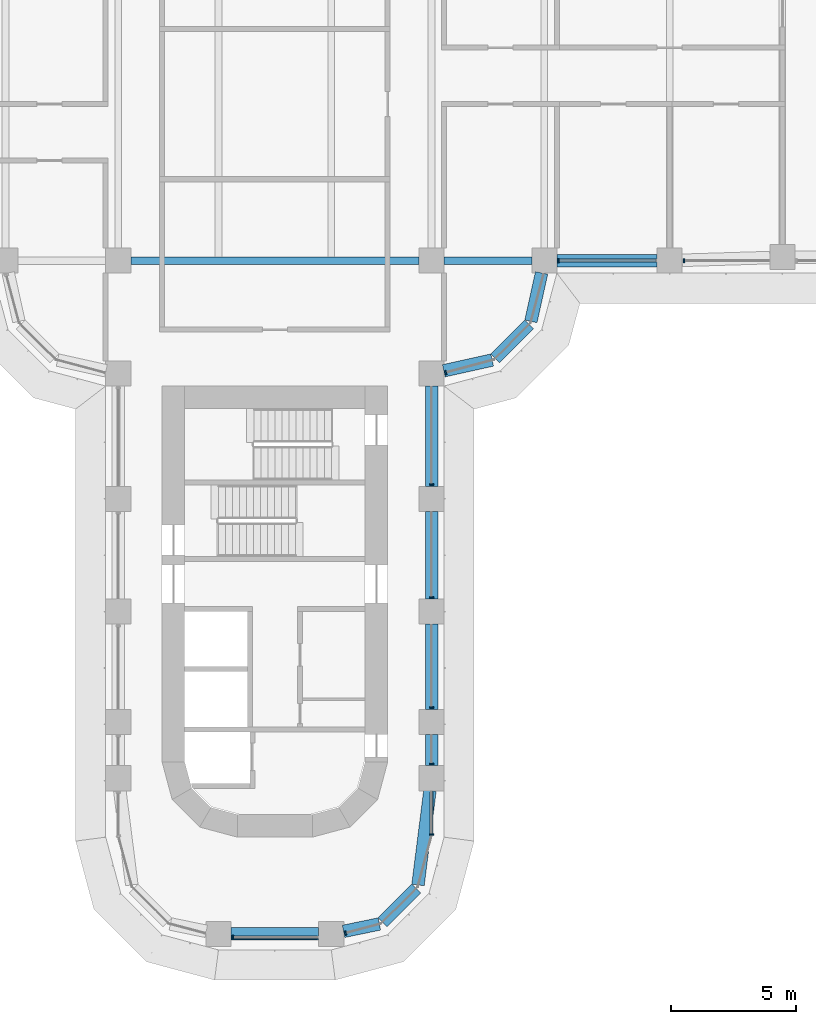
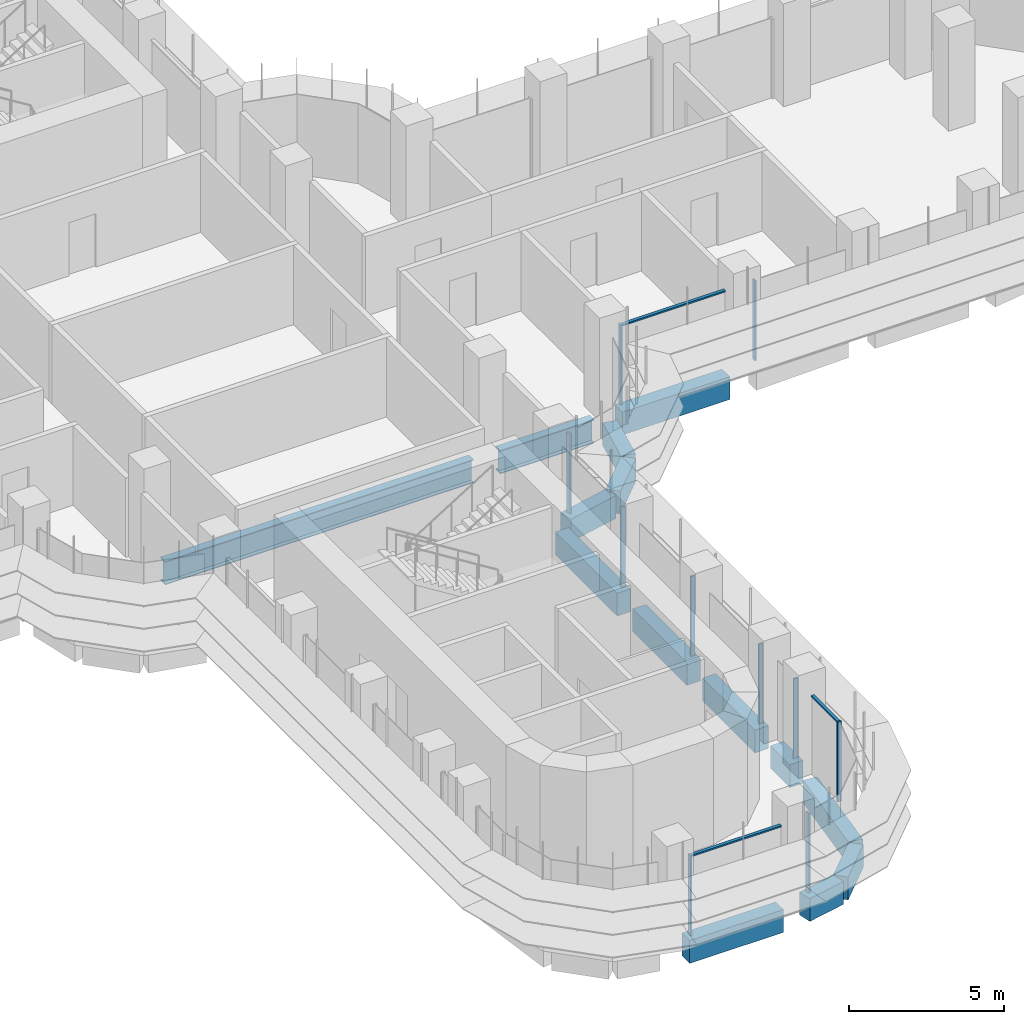
# One storey, part 4 of 23: 14 beams, 13 members, 5 elements without a shape of their own.
"""IFC4 building model written with IfcOpenShell, lengths in metres."""

from ifc_helpers import new_model, si_unit, direction, frame, origin, origin_2d, place, context, subcontext, project, spatial, polyline, rectangle, i_section, outline, extrude, source, transform, mapped, material, material_profile, profile_set, type_object, element, aggregate, save


model = new_model("IFC4")

# Units and contexts
model_context = context("Model", 3, precision=1e-05, world=origin(), true_north=direction((0.0, 1.0)))
body_context = subcontext(model_context, "Body", "Model", "MODEL_VIEW")
ifc_project = project(units=[si_unit("LENGTHUNIT", "METRE"), si_unit("AREAUNIT", "SQUARE_METRE"), si_unit("VOLUMEUNIT", "CUBIC_METRE"), si_unit("PLANEANGLEUNIT", "RADIAN"), si_unit("MASSUNIT", "GRAM", prefix="KILO")], contexts=[model_context])

# Site, building, storey
site_placement = place(None, origin())
site = spatial("IfcSite", under=ifc_project, at=site_placement, CompositionType="ELEMENT")
building_placement = place(site_placement, origin())
building = spatial("IfcBuilding", under=site, at=building_placement, Name="Zarbagh Exchange Tower", CompositionType="ELEMENT")
storey_placement = place(building_placement, frame((0.0, 0.0, 35.39990234375)))
storey = spatial("IfcBuildingStorey", under=building, at=storey_placement, Name="L07", CompositionType="ELEMENT", Elevation=35.39990234375)

# Beams
ifc_material_1 = material(Name="Steel ASTM A992 Gr 50", Category="steel")
ifc_material_profile_1 = material_profile(ifc_material_1, i_section(OverallWidth=0.3046875, OverallDepth=0.91943359375, WebThickness=0.017333984375, FlangeThickness=0.02783203125, at=origin_2d()), Name="W36X170")
ifc_profile_set_1 = profile_set([ifc_material_profile_1], Name="Steel ASTM A992 Gr 50")
beam_type_1 = type_object("IfcBeamType", Name="Floor girder W36X170", PredefinedType="BEAM", material=ifc_profile_set_1)
beam_1_placement = place(storey_placement, frame((-5.75, -6.25, -0.609619140625), z_axis=(1.0, 0.0, 0.0), x_axis=(0.0, 1.0, 0.0)))
element("IfcBeam", 1, at=beam_1_placement, inside=storey, type_object=beam_type_1, Name="Steel girder", PredefinedType="BEAM", context=body_context, shape_type="SweptSolid", body=[
    extrude(i_section(OverallWidth=0.3046875, OverallDepth=0.91943359375, WebThickness=0.017333984375, FlangeThickness=0.02783203125, at=origin_2d()), origin(), (0.0, 0.0, 1.0), 11.5),
])
beam_2_placement = place(storey_placement, frame((6.75, -6.25, -0.609619140625), z_axis=(1.0, 0.0, 0.0), x_axis=(0.0, 1.0, 0.0)))
element("IfcBeam", 2, at=beam_2_placement, inside=storey, type_object=beam_type_1, Name="Steel girder", PredefinedType="BEAM", context=body_context, shape_type="SweptSolid", body=[
    extrude(i_section(OverallWidth=0.3046875, OverallDepth=0.91943359375, WebThickness=0.017333984375, FlangeThickness=0.02783203125, at=origin_2d()), origin(), (0.0, 0.0, 1.0), 3.5),
])
ifc_material_2 = material(Name="Concrete C60/75", Category="concrete")
ifc_material_profile_2 = material_profile(ifc_material_2, rectangle(XDim=0.5, YDim=0.89990234375, at=origin_2d()), Name="RC spandrel beam 500 x 900 C60/75")
ifc_profile_set_2 = profile_set([ifc_material_profile_2], Name="Concrete C60/75")
beam_type_2 = type_object("IfcBeamType", Name="RC spandrel beam 500 x 900 C60/75", PredefinedType="SPANDREL", material=ifc_profile_set_2)
beam_3_placement = place(storey_placement, frame((15.25, -6.25, -0.599853515625), z_axis=(-1.0, 0.0, 0.0), x_axis=(0.0, -1.0, 0.0)))
element("IfcBeam", 3, at=beam_3_placement, inside=storey, type_object=beam_type_2, Name="RC spandrel beam", PredefinedType="SPANDREL", context=body_context, shape_type="SweptSolid", body=[
    extrude(rectangle(XDim=0.5, YDim=0.89990234375, at=origin_2d()), origin(), (0.0, 0.0, 1.0), 4.0),
])
beam_4_placement = place(storey_placement, frame((10.64208984375, -6.73828125, -0.599853515625), z_axis=(-0.216081063242, -0.976375426825, 0.0), x_axis=(0.976375426825, -0.216081063242, 0.0)))
element("IfcBeam", 4, at=beam_4_placement, inside=storey, type_object=beam_type_2, Name="RC spandrel beam", PredefinedType="SPANDREL", context=body_context, shape_type="SweptSolid", body=[
    extrude(rectangle(XDim=0.5, YDim=0.89990234375, at=origin_2d()), origin(), (0.0, 0.0, 1.0), 1.978271484375),
])
beam_5_placement = place(storey_placement, frame((10.147216796875, -8.792724609375, -0.599853515625), z_axis=(-0.707106781187, -0.707106781187, 0.0), x_axis=(0.707106781187, -0.707106781187, 0.0)))
element("IfcBeam", 5, at=beam_5_placement, inside=storey, type_object=beam_type_2, Name="RC spandrel beam", PredefinedType="SPANDREL", context=body_context, shape_type="SweptSolid", body=[
    extrude(rectangle(XDim=0.5, YDim=0.89990234375, at=origin_2d()), origin(), (0.0, 0.0, 1.0), 1.91552734375),
])
beam_6_placement = place(storey_placement, frame((8.669921875, -10.214599609375, -0.599853515625), z_axis=(-0.976375426825, -0.216081063242, 0.0), x_axis=(0.216081063242, -0.976375426825, 0.0)))
element("IfcBeam", 6, at=beam_6_placement, inside=storey, type_object=beam_type_2, Name="RC spandrel beam", PredefinedType="SPANDREL", context=body_context, shape_type="SweptSolid", body=[
    extrude(rectangle(XDim=0.5, YDim=0.89990234375, at=origin_2d()), origin(), (0.0, 0.0, 1.0), 1.978271484375),
])
beam_7_placement = place(storey_placement, frame((6.25, -11.25, -0.599853515625), z_axis=(0.0, -1.0, 0.0), x_axis=(1.0, 0.0, 0.0)))
element("IfcBeam", 7, at=beam_7_placement, inside=storey, type_object=beam_type_2, Name="RC spandrel beam", PredefinedType="SPANDREL", context=body_context, shape_type="SweptSolid", body=[
    extrude(rectangle(XDim=0.5, YDim=0.89990234375, at=origin_2d()), origin(), (0.0, 0.0, 1.0), 4.0),
])
beam_8_placement = place(storey_placement, frame((6.25, -16.25, -0.599853515625), z_axis=(0.0, -1.0, 0.0), x_axis=(1.0, 0.0, 0.0)))
element("IfcBeam", 8, at=beam_8_placement, inside=storey, type_object=beam_type_2, Name="RC spandrel beam", PredefinedType="SPANDREL", context=body_context, shape_type="SweptSolid", body=[
    extrude(rectangle(XDim=0.5, YDim=0.89990234375, at=origin_2d()), origin(), (0.0, 0.0, 1.0), 3.5),
])
beam_9_placement = place(storey_placement, frame((6.25, -20.75, -0.599853515625), z_axis=(0.0, -1.0, 0.0), x_axis=(1.0, 0.0, 0.0)))
element("IfcBeam", 9, at=beam_9_placement, inside=storey, type_object=beam_type_2, Name="RC spandrel beam", PredefinedType="SPANDREL", context=body_context, shape_type="SweptSolid", body=[
    extrude(rectangle(XDim=0.5, YDim=0.89990234375, at=origin_2d()), origin(), (0.0, 0.0, 1.0), 3.39990234375),
])
beam_10_placement = place(storey_placement, frame((6.25, -25.14990234375, -0.599853515625), z_axis=(0.0, -1.0, 0.0), x_axis=(1.0, 0.0, 0.0)))
element("IfcBeam", 10, at=beam_10_placement, inside=storey, type_object=beam_type_2, Name="RC spandrel beam", PredefinedType="SPANDREL", context=body_context, shape_type="SweptSolid", body=[
    extrude(rectangle(XDim=0.5, YDim=0.89990234375, at=origin_2d()), origin(), (0.0, 0.0, 1.0), 1.25),
])
beam_11_placement = place(storey_placement, frame((6.18701171875, -27.39599609375, -0.599853515625), z_axis=(-0.12591317752, -0.992041265133, 0.0), x_axis=(0.992041265133, -0.12591317752, 0.0)))
element("IfcBeam", 11, at=beam_11_placement, inside=storey, type_object=beam_type_2, Name="RC spandrel beam", PredefinedType="SPANDREL", context=body_context, shape_type="SweptSolid", body=[
    extrude(rectangle(XDim=0.5, YDim=0.89990234375, at=origin_2d()), origin(), (0.0, 0.0, 1.0), 3.790771484375),
])
beam_12_placement = place(storey_placement, frame((5.638427734375, -31.301513671875, -0.599853515625), z_axis=(-0.707042571718, -0.707170984825, 0.0), x_axis=(0.707170984825, -0.707042571718, 0.0)))
element("IfcBeam", 12, at=beam_12_placement, inside=storey, type_object=beam_type_2, Name="RC spandrel beam", PredefinedType="SPANDREL", context=body_context, shape_type="SweptSolid", body=[
    extrude(rectangle(XDim=0.5, YDim=0.89990234375, at=origin_2d()), origin(), (0.0, 0.0, 1.0), 1.901123046875),
])
beam_13_placement = place(storey_placement, frame((4.16796875, -32.714111328125, -0.599853515625), z_axis=(-0.9793713725, -0.202068589164, 0.0), x_axis=(0.202068589164, -0.9793713725, 0.0)))
element("IfcBeam", 13, at=beam_13_placement, inside=storey, type_object=beam_type_2, Name="RC spandrel beam", PredefinedType="SPANDREL", context=body_context, shape_type="SweptSolid", body=[
    extrude(rectangle(XDim=0.5, YDim=0.89990234375, at=origin_2d()), origin(), (0.0, 0.0, 1.0), 1.458251953125),
])
beam_14_placement = place(storey_placement, frame((1.75, -33.110107421875, -0.599853515625), z_axis=(-1.0, 0.0, 0.0), x_axis=(0.0, -1.0, 0.0)))
element("IfcBeam", 14, at=beam_14_placement, inside=storey, type_object=beam_type_2, Name="RC spandrel beam", PredefinedType="SPANDREL", context=body_context, shape_type="SweptSolid", body=[
    extrude(rectangle(XDim=0.5, YDim=0.89990234375, at=origin_2d()), origin(), (0.0, 0.0, 1.0), 3.5),
])

# Curtain wall, member
ifc_material_3 = material(Name="Anodised aluminium frame and glazing", Category="aluminium")
curtain_wall_type = type_object("IfcCurtainWallType", Name="CWA Ribbon glazing, lower zones", PredefinedType="NOTDEFINED", material=ifc_material_3)
curtain_wall_1_placement = place(storey_placement, origin())
curtain_wall_1 = element("IfcCurtainWall", 15, at=curtain_wall_1_placement, inside=storey, type_object=curtain_wall_type, Name="CWA01 curtain wall", PredefinedType="NOTDEFINED")
ifc_material_4 = material(Name="Anodised aluminium frame", Category="aluminium")
member_type_1 = type_object("IfcMemberType", Name="MUA Mullion, anodised aluminium frame", PredefinedType="MULLION", material=ifc_material_4)
shared_shape_1 = source(origin(), body_context, "Body", "SweptSolid", [
    extrude(outline(polyline([(0.0, -0.080078125), (0.06005859375, -0.080078125), (0.06005859375, 0.080078125), (0.0, 0.080078125), (0.0, -0.080078125)])), origin(), (0.0, 0.0, 1.0), 3.14990234375),
])
placement = place(storey_placement, origin())
member_1 = element("IfcMember", 16, at=placement, type_object=member_type_1, Name="CWA01 mullion 1.1", PredefinedType="MULLION", context=body_context, shape_type="MappedRepresentation", body=[
    mapped(shared_shape_1, transform((2.7900390625, -33.087646484375, 0.0), x_axis=(0.965924289636, 0.258824779902, 0.0), y_axis=(-0.258824779902, 0.965924289636, 0.0), z_axis=(0.0, 0.0, 1.0))),
])
aggregate(curtain_wall_1, [member_1])

# Curtain wall, members
curtain_wall_2_placement = place(storey_placement, origin())
curtain_wall_2 = element("IfcCurtainWall", 17, at=curtain_wall_2_placement, inside=storey, type_object=curtain_wall_type, Name="CWA04 curtain wall", PredefinedType="NOTDEFINED")
member_2 = element("IfcMember", 18, at=placement, type_object=member_type_1, Name="CWA04 mullion 1.1", PredefinedType="MULLION", context=body_context, shape_type="MappedRepresentation", body=[
    mapped(shared_shape_1, transform((6.25, -29.18408203125, 0.0), x_axis=(0.0, 1.0, 0.0), y_axis=(-1.0, 0.0, 0.0), z_axis=(0.0, 0.0, 1.0))),
])
member_3 = element("IfcMember", 19, at=placement, type_object=member_type_1, Name="CWA04 mullion 2.1", PredefinedType="MULLION", context=body_context, shape_type="MappedRepresentation", body=[
    mapped(shared_shape_1, transform((6.25, -26.35986328125, 0.0), x_axis=(0.0, 1.0, 0.0), y_axis=(-1.0, 0.0, 0.0), z_axis=(0.0, 0.0, 1.0))),
])
member_4 = element("IfcMember", 20, at=placement, type_object=member_type_1, Name="CWA04 mullion 3.1", PredefinedType="MULLION", context=body_context, shape_type="MappedRepresentation", body=[
    mapped(shared_shape_1, transform((6.25, -24.10986328125, 0.0), x_axis=(0.0, 1.0, 0.0), y_axis=(-1.0, 0.0, 0.0), z_axis=(0.0, 0.0, 1.0))),
])
member_5 = element("IfcMember", 21, at=placement, type_object=member_type_1, Name="CWA04 mullion 4.1", PredefinedType="MULLION", context=body_context, shape_type="MappedRepresentation", body=[
    mapped(shared_shape_1, transform((6.25, -19.7099609375, 0.0), x_axis=(0.0, 1.0, 0.0), y_axis=(-1.0, 0.0, 0.0), z_axis=(0.0, 0.0, 1.0))),
])
member_6 = element("IfcMember", 22, at=placement, type_object=member_type_1, Name="CWA04 mullion 5.1", PredefinedType="MULLION", context=body_context, shape_type="MappedRepresentation", body=[
    mapped(shared_shape_1, transform((6.25, -15.2099609375, 0.0), x_axis=(0.0, 1.0, 0.0), y_axis=(-1.0, 0.0, 0.0), z_axis=(0.0, 0.0, 1.0))),
])

# Curtain wall, member
curtain_wall_3_placement = place(storey_placement, origin())
curtain_wall_3 = element("IfcCurtainWall", 23, at=curtain_wall_3_placement, inside=storey, type_object=curtain_wall_type, Name="CWA05 curtain wall", PredefinedType="NOTDEFINED")
member_7 = element("IfcMember", 24, at=placement, type_object=member_type_1, Name="CWA05 mullion 1.1", PredefinedType="MULLION", context=body_context, shape_type="MappedRepresentation", body=[
    mapped(shared_shape_1, transform((6.7900390625, -10.7216796875, 0.0), x_axis=(0.965924289636, 0.258824779902, 0.0), y_axis=(-0.258824779902, 0.965924289636, 0.0), z_axis=(0.0, 0.0, 1.0))),
])
aggregate(curtain_wall_3, [member_7])

# Curtain wall, members
curtain_wall_4_placement = place(storey_placement, origin())
curtain_wall_4 = element("IfcCurtainWall", 25, at=curtain_wall_4_placement, inside=storey, type_object=curtain_wall_type, Name="CWA08 curtain wall", PredefinedType="NOTDEFINED")
member_8 = element("IfcMember", 26, at=placement, type_object=member_type_1, Name="CWA08 mullion 1.1", PredefinedType="MULLION", context=body_context, shape_type="MappedRepresentation", body=[
    mapped(shared_shape_1, transform((11.2900390625, -6.25, 0.0), x_axis=(1.0, 0.0, 0.0), y_axis=(0.0, 1.0, 0.0), z_axis=(0.0, 0.0, 1.0))),
])
member_9 = element("IfcMember", 27, at=placement, type_object=member_type_1, Name="CWA08 mullion 2.1", PredefinedType="MULLION", context=body_context, shape_type="MappedRepresentation", body=[
    mapped(shared_shape_1, transform((16.2900390625, -6.25, 0.0), x_axis=(1.0, 0.0, 0.0), y_axis=(0.0, 1.0, 0.0), z_axis=(0.0, 0.0, 1.0))),
])

# Curtain wall, member
curtain_wall_5_placement = place(storey_placement, origin())
curtain_wall_5 = element("IfcCurtainWall", 28, at=curtain_wall_5_placement, inside=storey, type_object=curtain_wall_type, Name="CWA48 curtain wall", PredefinedType="NOTDEFINED")
member_10 = element("IfcMember", 29, at=placement, type_object=member_type_1, Name="CWA48 mullion 1.1", PredefinedType="MULLION", context=body_context, shape_type="MappedRepresentation", body=[
    mapped(shared_shape_1, transform((-1.7099609375, -33.25, 0.0), x_axis=(1.0, 0.0, 0.0), y_axis=(0.0, 1.0, 0.0), z_axis=(0.0, 0.0, 1.0))),
])

# Member
member_type_2 = type_object("IfcMemberType", Name="TRA Transom, anodised aluminium frame", PredefinedType="USERDEFINED", material=ifc_material_4)
shared_shape_2 = source(origin(), body_context, "Body", "SweptSolid", [
    extrude(outline(polyline([(-0.06005859375, -0.06005859375), (0.0, -0.06005859375), (0.0, 0.06005859375), (-0.06005859375, 0.06005859375), (-0.06005859375, -0.06005859375)])), origin(), (0.0, 0.0, 1.0), 1.68408203125),
])
member_11 = element("IfcMember", 30, at=placement, type_object=member_type_2, Name="CWA04 transom 1.1", ObjectType="TRANSOM", PredefinedType="USERDEFINED", context=body_context, shape_type="MappedRepresentation", body=[
    mapped(shared_shape_2, transform((6.25, -29.124267578125, 3.150146484375), x_axis=(0.0, 0.0, 1.0), y_axis=(1.0, 0.0, 0.0), z_axis=(0.0, 1.0, 0.0))),
])

aggregate(curtain_wall_2, [member_2, member_11, member_3, member_4, member_5, member_6])

shared_shape_3 = source(origin(), body_context, "Body", "SweptSolid", [
    extrude(outline(polyline([(-0.06005859375, -0.06005859375), (0.0, -0.06005859375), (0.0, 0.06005859375), (-0.06005859375, 0.06005859375), (-0.06005859375, -0.06005859375)])), origin(), (0.0, 0.0, 1.0), 3.860107421875),
])
member_12 = element("IfcMember", 31, at=placement, type_object=member_type_2, Name="CWA08 transom 1.1", ObjectType="TRANSOM", PredefinedType="USERDEFINED", context=body_context, shape_type="MappedRepresentation", body=[
    mapped(shared_shape_3, transform((11.35009765625, -6.25, 3.150146484375), x_axis=(0.0, 0.0, 1.0), y_axis=(0.0, -1.0, 0.0), z_axis=(1.0, 0.0, 0.0))),
])

aggregate(curtain_wall_4, [member_8, member_12, member_9])

shared_shape_4 = source(origin(), body_context, "Body", "SweptSolid", [
    extrude(outline(polyline([(-0.06005859375, -0.06005859375), (0.0, -0.06005859375), (0.0, 0.06005859375), (-0.06005859375, 0.06005859375), (-0.06005859375, -0.06005859375)])), origin(), (0.0, 0.0, 1.0), 3.360107421875),
])
member_13 = element("IfcMember", 32, at=placement, type_object=member_type_2, Name="CWA48 transom 1.1", ObjectType="TRANSOM", PredefinedType="USERDEFINED", context=body_context, shape_type="MappedRepresentation", body=[
    mapped(shared_shape_4, transform((-1.64990234375, -33.25, 3.150146484375), x_axis=(0.0, 0.0, 1.0), y_axis=(0.0, -1.0, 0.0), z_axis=(1.0, 0.0, 0.0))),
])

aggregate(curtain_wall_5, [member_10, member_13])

save(model, "model.ifc")
